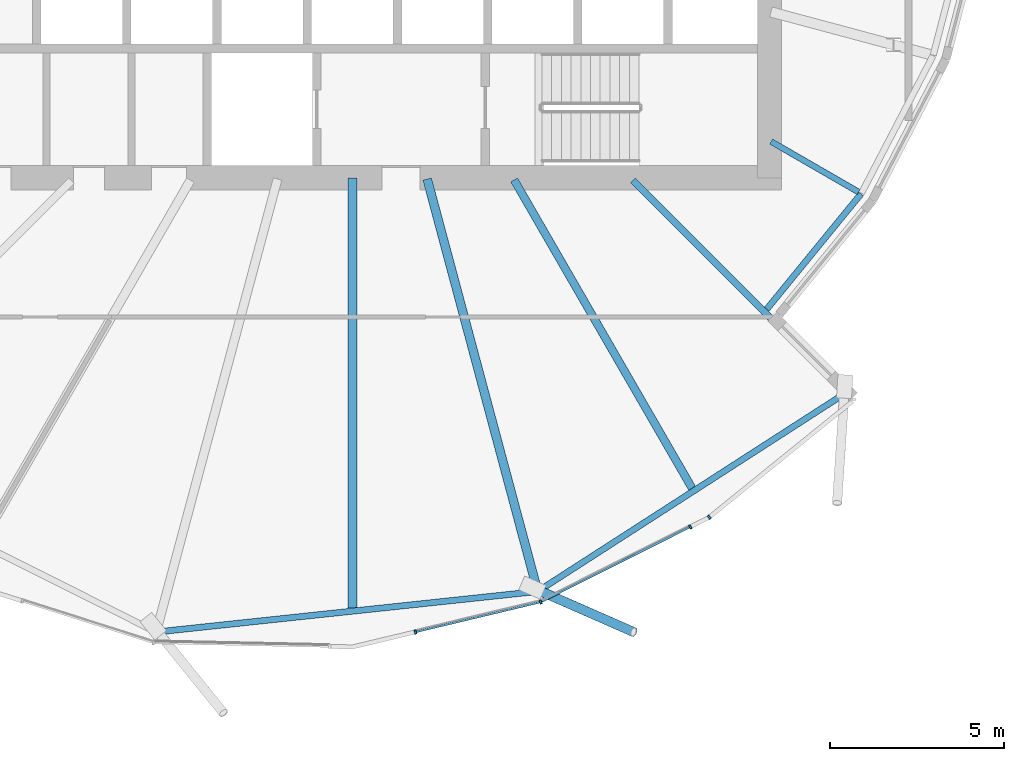
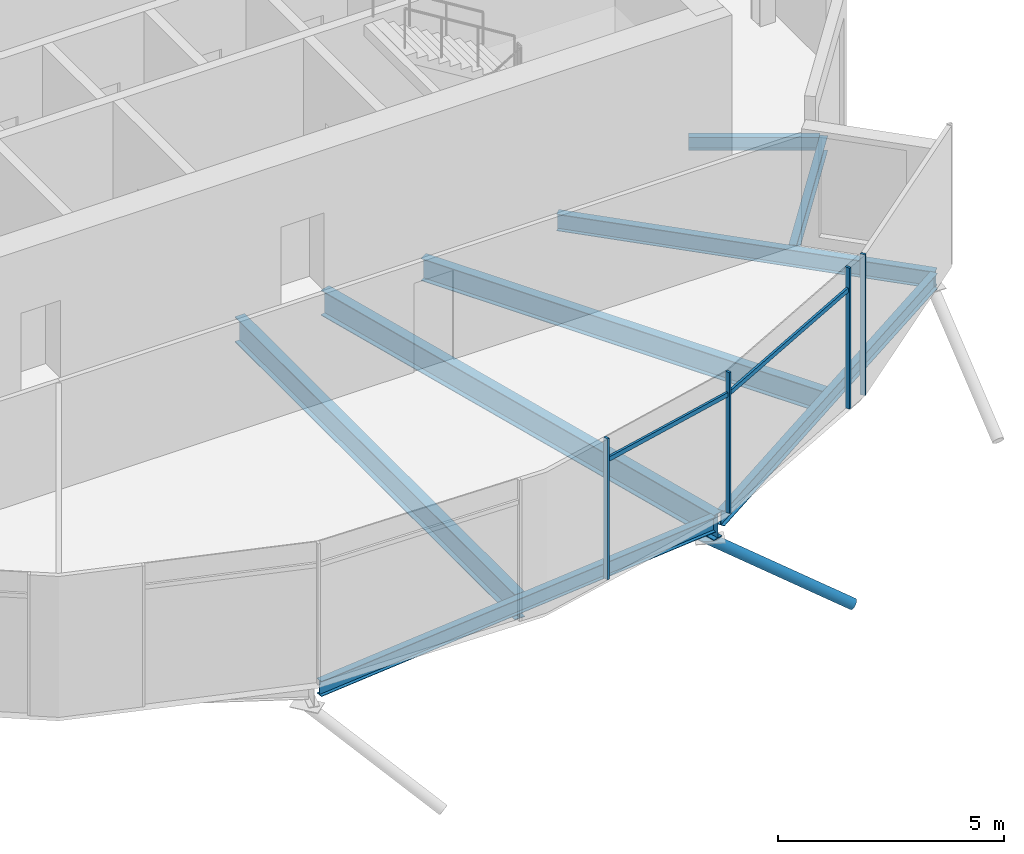
# One storey, part 13 of 39: 8 beams, 7 members, 1 element without a shape of its own.
"""IFC4 building model written with IfcOpenShell, lengths in metres."""

from ifc_helpers import new_model, si_unit, direction, frame, origin, origin_2d, place, context, subcontext, project, spatial, rectangle, hollow_circle, i_section, extrude, clip, halfspace, material, material_profile, profile_set, type_object, element, aggregate, save


model = new_model("IFC4")

# Units and contexts
model_context = context("Model", 3, precision=1e-05, world=origin(), true_north=direction((0.0, 1.0)))
body_context = subcontext(model_context, "Body", "Model", "MODEL_VIEW")
ifc_project = project(units=[si_unit("LENGTHUNIT", "METRE"), si_unit("AREAUNIT", "SQUARE_METRE"), si_unit("VOLUMEUNIT", "CUBIC_METRE"), si_unit("PLANEANGLEUNIT", "RADIAN"), si_unit("MASSUNIT", "GRAM", prefix="KILO")], contexts=[model_context])

# Site, building, storey
site_placement = place(None, origin())
site = spatial("IfcSite", under=ifc_project, at=site_placement, CompositionType="ELEMENT")
building_placement = place(site_placement, origin())
building = spatial("IfcBuilding", under=site, at=building_placement, Name="Rimbun Link Towers", CompositionType="ELEMENT")
storey_placement = place(building_placement, frame((0.0, 0.0, 139.199951171875)))
storey = spatial("IfcBuildingStorey", under=building, at=storey_placement, Name="L33", CompositionType="ELEMENT", Elevation=139.199951171875)

# Curtain wall, members
ifc_material_1 = material(Name="Aluminium 6063-T6 and low-iron glass", Category="aluminium")
curtain_wall_type = type_object("IfcCurtainWallType", Name="CW4 link block wall", PredefinedType="NOTDEFINED", material=ifc_material_1)
curtain_wall_placement = place(storey_placement, origin())
curtain_wall = element("IfcCurtainWall", 1, at=curtain_wall_placement, inside=storey, type_object=curtain_wall_type, Name="CW4 L33 T2", PredefinedType="NOTDEFINED")
ifc_material_2 = material(Name="Aluminium 6063-T6", Category="aluminium")
ifc_material_profile_1 = material_profile(ifc_material_2, rectangle(XDim=0.1201171875, YDim=0.06005859375, at=origin_2d()), Name="MULLION 60X120")
ifc_profile_set_1 = profile_set([ifc_material_profile_1], Name="Aluminium 6063-T6")
member_type_1 = type_object("IfcMemberType", Name="CW4 mullion 60X120", PredefinedType="MULLION", material=ifc_profile_set_1)
member_1_placement = place(storey_placement, frame((37.167236328125, -20.197021484375, 0.0), z_axis=(0.0, 0.0, 1.0), x_axis=(0.342963066451, -0.939348888886, 0.0)))
member_1 = element("IfcMember", 2, at=member_1_placement, type_object=member_type_1, Name="CW4 mullion", PredefinedType="MULLION", context=body_context, shape_type="SweptSolid", body=[
    extrude(rectangle(XDim=0.1201171875, YDim=0.06005859375, at=origin_2d()), origin(), (0.0, 0.0, 1.0), 3.800048828125),
])
member_2_placement = place(storey_placement, frame((33.563232421875, -21.059326171875, 0.0), z_axis=(0.0, 0.0, 1.0), x_axis=(0.232587665973, -0.972575435448, 0.0)))
member_2 = element("IfcMember", 3, at=member_2_placement, type_object=member_type_1, Name="CW4 mullion", PredefinedType="MULLION", context=body_context, shape_type="SweptSolid", body=[
    extrude(rectangle(XDim=0.1201171875, YDim=0.06005859375, at=origin_2d()), origin(), (0.0, 0.0, 1.0), 3.800048828125),
])
member_3_placement = place(storey_placement, frame((41.46826171875, -18.03759765625, 0.0), z_axis=(0.0, 0.0, 1.0), x_axis=(0.448781608432, -0.893641464981, 0.0)))
member_3 = element("IfcMember", 4, at=member_3_placement, type_object=member_type_1, Name="CW4 mullion", PredefinedType="MULLION", context=body_context, shape_type="SweptSolid", body=[
    extrude(rectangle(XDim=0.1201171875, YDim=0.06005859375, at=origin_2d()), origin(), (0.0, 0.0, 1.0), 3.800048828125),
])
member_4_placement = place(storey_placement, frame((42.01513671875, -17.76123046875, 0.0), z_axis=(0.0, 0.0, 1.0), x_axis=(0.629158779809, -0.777276803841, 0.0)))
member_4 = element("IfcMember", 5, at=member_4_placement, type_object=member_type_1, Name="CW4 mullion", PredefinedType="MULLION", context=body_context, shape_type="SweptSolid", body=[
    extrude(rectangle(XDim=0.1201171875, YDim=0.06005859375, at=origin_2d()), origin(), (0.0, 0.0, 1.0), 3.800048828125),
])
ifc_material_3 = material(Name="Aluminium 6063-T6", Category="aluminium")
ifc_material_profile_2 = material_profile(ifc_material_3, rectangle(XDim=0.06005859375, YDim=0.1201171875, at=origin_2d()), Name="TRANSOM 60X120")
ifc_profile_set_2 = profile_set([ifc_material_profile_2], Name="Aluminium 6063-T6")
member_type_2 = type_object("IfcMemberType", Name="CW4 transom 60X120", PredefinedType="USERDEFINED", material=ifc_profile_set_2)
member_5_placement = place(storey_placement, frame((37.131103515625, -20.2041015625, 3.199951171875), z_axis=(-0.972585489627, -0.232545619967, 0.0), x_axis=(0.232545619967, -0.972585489627, 0.0)))
member_5 = element("IfcMember", 6, at=member_5_placement, type_object=member_type_2, Name="CW4 transom", ObjectType="TRANSOM", PredefinedType="USERDEFINED", context=body_context, shape_type="SweptSolid", body=[
    extrude(rectangle(XDim=0.06005859375, YDim=0.1201171875, at=origin_2d()), origin(), (0.0, 0.0, 1.0), 3.638916015625),
])
member_6_placement = place(storey_placement, frame((41.4404296875, -18.049072265625, 3.199951171875), z_axis=(-0.893633550107, -0.448797368668, 0.0), x_axis=(0.448797368668, -0.893633550107, 0.0)))
member_6 = element("IfcMember", 7, at=member_6_placement, type_object=member_type_2, Name="CW4 transom", ObjectType="TRANSOM", PredefinedType="USERDEFINED", context=body_context, shape_type="SweptSolid", body=[
    extrude(rectangle(XDim=0.06005859375, YDim=0.1201171875, at=origin_2d()), origin(), (0.0, 0.0, 1.0), 4.745849609375),
])
aggregate(curtain_wall, [member_1, member_2, member_3, member_4, member_5, member_6])

# Member
ifc_material_4 = material(Name="Steel S355J2H", Category="steel")
ifc_material_profile_3 = material_profile(ifc_material_4, hollow_circle(Radius=0.136474609375, WallThickness=0.012451171875, at=origin_2d()), Name="CHS 273x12.5")
ifc_profile_set_3 = profile_set([ifc_material_profile_3], Name="Steel S355J2H")
member_type_3 = type_object("IfcMemberType", Name="Floor edge link CHS 273x12.5", PredefinedType="BRACE", material=ifc_profile_set_3)
member_7_placement = place(storey_placement, frame((37.067626953125, -19.845703125, -0.979248046875), z_axis=(0.775455070233, -0.340153604427, -0.531944507863), x_axis=(0.401702826454, 0.915770079888, 0.0)))
element("IfcMember", 8, at=member_7_placement, inside=storey, type_object=member_type_3, Name="Floor edge link T2 L33 16", PredefinedType="BRACE", context=body_context, shape_type="Clipping", body=[
    clip(extrude(hollow_circle(Radius=0.136474609375, WallThickness=0.012451171875, at=origin_2d()), frame((0.0, 0.0, -0.453369140625)), (0.0, 0.0, 1.0), 4.045654296875), halfspace(frame((0.0, 0.0, -0.2138671875), z_axis=(0.0, 0.846779215944, -0.531944507863)), False)),
])

# Beams
ifc_material_5 = material(Name="Steel S355J2", Category="steel")
ifc_material_profile_4 = material_profile(ifc_material_5, i_section(OverallWidth=0.17138671875, OverallDepth=0.35498046875, WebThickness=0.00732421875, FlangeThickness=0.011474609375, at=origin_2d()), Name="UB 356x171x51")
ifc_profile_set_4 = profile_set([ifc_material_profile_4], Name="Steel S355J2")
beam_type_1 = type_object("IfcBeamType", Name="UB 356x171x51", PredefinedType="BEAM", material=ifc_profile_set_4)
beam_1_placement = place(storey_placement, frame((43.793701171875, -6.95361328125, -0.357421875), z_axis=(0.866062421641, -0.49993587771, 0.0), x_axis=(0.49993587771, 0.866062421641, 0.0)))
element("IfcBeam", 9, at=beam_1_placement, inside=storey, type_object=beam_type_1, Name="Radial beam T2 L33 19", PredefinedType="BEAM", context=body_context, shape_type="SweptSolid", body=[
    extrude(i_section(OverallWidth=0.17138671875, OverallDepth=0.35498046875, WebThickness=0.00732421875, FlangeThickness=0.011474609375, at=origin_2d()), origin(), (0.0, 0.0, 1.0), 2.90478515625),
])
ifc_material_6 = material(Name="Steel S355J2", Category="steel")
ifc_material_profile_5 = material_profile(ifc_material_6, i_section(OverallWidth=0.177978515625, OverallDepth=0.406494140625, WebThickness=0.0078125, FlangeThickness=0.0126953125, at=origin_2d()), Name="UB 406x178x60")
ifc_profile_set_5 = profile_set([ifc_material_profile_5], Name="Steel S355J2")
beam_type_2 = type_object("IfcBeamType", Name="UB 406x178x60", PredefinedType="BEAM", material=ifc_profile_set_5)
beam_2_placement = place(storey_placement, frame((26.24267578125, -21.0478515625, -0.383056640625), z_axis=(0.994380538527, 0.105864746721, 0.0), x_axis=(-0.105864746721, 0.994380538527, 0.0)))
element("IfcBeam", 10, at=beam_2_placement, inside=storey, type_object=beam_type_2, Name="Edge beam T2 L33 14-16", PredefinedType="BEAM", context=body_context, shape_type="SweptSolid", body=[
    extrude(i_section(OverallWidth=0.177978515625, OverallDepth=0.406494140625, WebThickness=0.0078125, FlangeThickness=0.0126953125, at=origin_2d()), origin(), (0.0, 0.0, 1.0), 10.769775390625),
])
beam_3_placement = place(storey_placement, frame((37.193359375, -19.8212890625, -0.383056640625), z_axis=(0.840631448215, 0.541607577747, 0.0), x_axis=(-0.541607577747, 0.840631448215, 0.0)))
element("IfcBeam", 11, at=beam_3_placement, inside=storey, type_object=beam_type_2, Name="Edge beam T2 L33 16-18", PredefinedType="BEAM", context=body_context, shape_type="SweptSolid", body=[
    extrude(i_section(OverallWidth=0.177978515625, OverallDepth=0.406494140625, WebThickness=0.0078125, FlangeThickness=0.0126953125, at=origin_2d()), origin(), (0.0, 0.0, 1.0), 10.3037109375),
])
beam_4_placement = place(storey_placement, frame((43.6708984375, -11.772705078125, -0.383056640625), z_axis=(0.633032798908, 0.774124974088, 0.0), x_axis=(-0.774124974088, 0.633032798908, 0.0)))
element("IfcBeam", 12, at=beam_4_placement, inside=storey, type_object=beam_type_2, Name="Edge beam T2 L33 18 recess", PredefinedType="BEAM", context=body_context, shape_type="SweptSolid", body=[
    extrude(i_section(OverallWidth=0.177978515625, OverallDepth=0.406494140625, WebThickness=0.0078125, FlangeThickness=0.0126953125, at=origin_2d()), origin(), (0.0, 0.0, 1.0), 4.281005859375),
])
ifc_material_7 = material(Name="Steel S355J2", Category="steel")
ifc_material_profile_6 = material_profile(ifc_material_7, i_section(OverallWidth=0.18994140625, OverallDepth=0.453369140625, WebThickness=0.008544921875, FlangeThickness=0.0126953125, at=origin_2d()), Name="UB 457x191x67")
ifc_profile_set_6 = profile_set([ifc_material_profile_6], Name="Steel S355J2")
beam_type_3 = type_object("IfcBeamType", Name="UB 457x191x67", PredefinedType="BEAM", material=ifc_profile_set_6)
beam_5_placement = place(storey_placement, frame((39.81787109375, -8.06787109375, -0.40673828125), z_axis=(0.707106781187, -0.707106781187, 0.0), x_axis=(0.707106781187, 0.707106781187, 0.0)))
element("IfcBeam", 13, at=beam_5_placement, inside=storey, type_object=beam_type_3, Name="Radial beam T2 L33 18", PredefinedType="BEAM", context=body_context, shape_type="SweptSolid", body=[
    extrude(i_section(OverallWidth=0.18994140625, OverallDepth=0.453369140625, WebThickness=0.008544921875, FlangeThickness=0.0126953125, at=origin_2d()), origin(), (0.0, 0.0, 1.0), 8.654541015625),
])
ifc_material_8 = material(Name="Steel S355J2", Category="steel")
ifc_material_profile_7 = material_profile(ifc_material_8, i_section(OverallWidth=0.2275390625, OverallDepth=0.6025390625, WebThickness=0.010498046875, FlangeThickness=0.014892578125, at=origin_2d()), Name="UB 610x229x101")
ifc_profile_set_7 = profile_set([ifc_material_profile_7], Name="Steel S355J2")
beam_type_4 = type_object("IfcBeamType", Name="UB 610x229x101", PredefinedType="BEAM", material=ifc_profile_set_7)
beam_6_placement = place(storey_placement, frame((36.402099609375, -8.057861328125, -0.481201171875), z_axis=(0.500008646395, -0.866020411728, 0.0), x_axis=(0.866020411728, 0.500008646395, 0.0)))
element("IfcBeam", 14, at=beam_6_placement, inside=storey, type_object=beam_type_4, Name="Radial beam T2 L33 17", PredefinedType="BEAM", context=body_context, shape_type="SweptSolid", body=[
    extrude(i_section(OverallWidth=0.2275390625, OverallDepth=0.6025390625, WebThickness=0.010498046875, FlangeThickness=0.014892578125, at=origin_2d()), origin(), (0.0, 0.0, 1.0), 10.239501953125),
])
ifc_material_9 = material(Name="Steel S355J2", Category="steel")
ifc_material_profile_8 = material_profile(ifc_material_9, i_section(OverallWidth=0.253662109375, OverallDepth=0.68359375, WebThickness=0.012451171875, FlangeThickness=0.01904296875, at=origin_2d()), Name="UB 686x254x140")
ifc_profile_set_8 = profile_set([ifc_material_profile_8], Name="Steel S355J2")
beam_type_5 = type_object("IfcBeamType", Name="UB 686x254x140", PredefinedType="BEAM", material=ifc_profile_set_8)
beam_7_placement = place(storey_placement, frame((31.75, -8.0009765625, -0.521728515625), z_axis=(0.0, -1.0, 0.0), x_axis=(1.0, 0.0, 0.0)))
element("IfcBeam", 15, at=beam_7_placement, inside=storey, type_object=beam_type_5, Name="Radial beam T2 L33 15", PredefinedType="BEAM", context=body_context, shape_type="SweptSolid", body=[
    extrude(i_section(OverallWidth=0.253662109375, OverallDepth=0.68359375, WebThickness=0.012451171875, FlangeThickness=0.01904296875, at=origin_2d()), origin(), (0.0, 0.0, 1.0), 12.3701171875),
])
beam_8_placement = place(storey_placement, frame((33.902587890625, -8.03369140625, -0.521728515625), z_axis=(0.258819568836, -0.965925685955, 0.0), x_axis=(0.965925685955, 0.258819568836, 0.0)))
element("IfcBeam", 16, at=beam_8_placement, inside=storey, type_object=beam_type_5, Name="Radial beam T2 L33 16", PredefinedType="BEAM", context=body_context, shape_type="SweptSolid", body=[
    extrude(i_section(OverallWidth=0.253662109375, OverallDepth=0.68359375, WebThickness=0.012451171875, FlangeThickness=0.01904296875, at=origin_2d()), origin(), (0.0, 0.0, 1.0), 12.27880859375),
])

save(model, "model.ifc")
